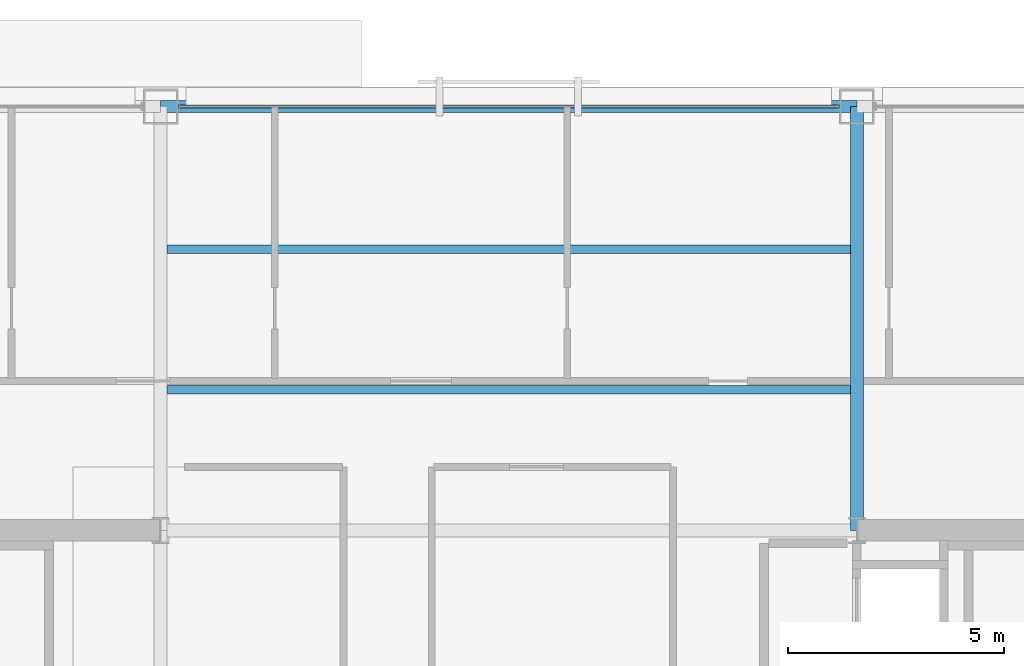
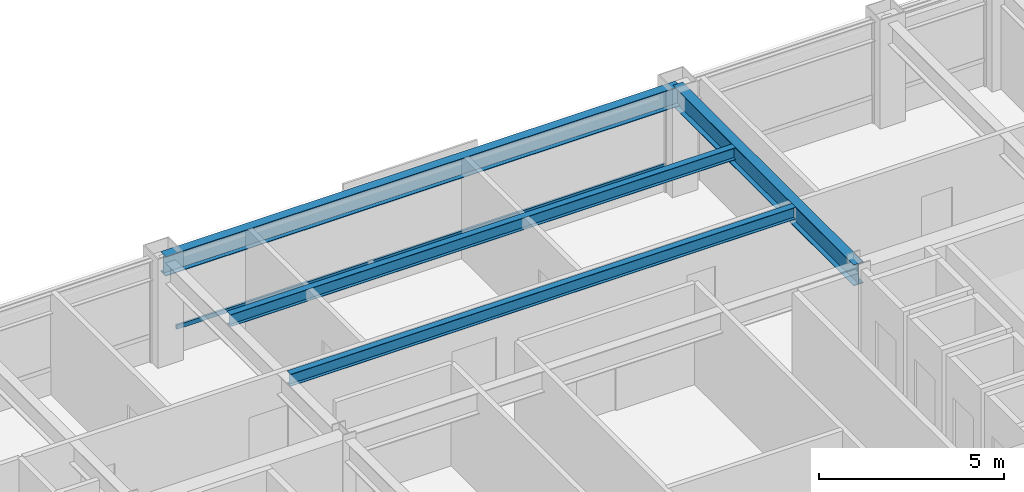
# One storey, part 20 of 28: 4 beams, 1 member, 1 element without a shape of its own.
"""IFC4 building model written with IfcOpenShell, lengths in metres."""

import ifcopenshell
import ifcopenshell.guid

model = None  # the IFC model being written
_history = None  # IfcOwnerHistory: only IFC2X3 demands one
_inside = {}  # id of a spatial element -> (the spatial element, [elements in it])
_under = {}  # id of a project, library or spatial element -> (it, [spatial elements below it])
_declared = {}  # id of a project -> (the project, [libraries it declares])
_typed = {}  # id of a type object -> (the type object, [elements of that type])
_made_of = {}  # id of a material, layer set ... -> (it, [elements and type objects made of it])


def new_model(schema):
    """Start an empty IFC model of exactly this schema.

    Asked for "IFC4X3", IfcOpenShell would pick the latest addendum, in which some entities
    have other attributes; the version numbers below select the first issue.
    IFC2X3 requires an IfcOwnerHistory on every rooted entity: one is made here for all.
    """
    global model, _history
    if schema == "IFC4X3":
        model = ifcopenshell.file(schema_version=(4, 3, 0, 0))
    else:
        model = ifcopenshell.file(schema=schema)
    _inside.clear()
    _under.clear()
    _declared.clear()
    _typed.clear()
    _made_of.clear()
    _history = None
    if model.schema == "IFC2X3":
        org = make("IfcOrganization", Name="unknown")
        user = make(
            "IfcPersonAndOrganization",
            ThePerson=make("IfcPerson", FamilyName="unknown"),
            TheOrganization=org,
        )
        app = make(
            "IfcApplication",
            ApplicationDeveloper=org,
            Version="unknown",
            ApplicationFullName="unknown",
            ApplicationIdentifier="unknown",
        )
        _history = make(
            "IfcOwnerHistory",
            OwningUser=user,
            OwningApplication=app,
            ChangeAction="ADDED",
            CreationDate=0,
        )
    return model


def make(cls, **values):
    """One entity of the class cls with the attributes given. An attribute that is None is left unset."""
    return model.create_entity(
        cls, **{name: value for name, value in values.items() if value is not None}
    )


def rooted(cls, **values):
    """An entity with a GlobalId (a new one), such as an element, a storey or a relation."""
    return make(cls, GlobalId=ifcopenshell.guid.new(), OwnerHistory=_history, **values)


def si_unit(unit_type, name, prefix=None):
    """IfcSIUnit, for example si_unit("LENGTHUNIT", "METRE", prefix="MILLI")."""
    return make("IfcSIUnit", UnitType=unit_type, Prefix=prefix, Name=name)


def assignment(units):
    """IfcUnitAssignment: the units of a project."""
    return None if units is None else make("IfcUnitAssignment", Units=units)


def point(xyz):
    """IfcCartesianPoint."""
    return None if xyz is None else make("IfcCartesianPoint", Coordinates=xyz)


def direction(xyz):
    """IfcDirection."""
    return None if xyz is None else make("IfcDirection", DirectionRatios=xyz)


def frame(location, z_axis=None, x_axis=None):
    """IfcAxis2Placement3D, a coordinate frame: its origin and axes. An axis left out is left unset."""
    return make(
        "IfcAxis2Placement3D",
        Location=point(location),
        Axis=direction(z_axis),
        RefDirection=direction(x_axis),
    )


def frame_2d(location, x_axis=None):
    """IfcAxis2Placement2D, a coordinate frame in the plane: its origin and x axis."""
    return make(
        "IfcAxis2Placement2D", Location=point(location), RefDirection=direction(x_axis)
    )


def origin():
    """The frame at (0, 0, 0) with its axes left unset."""
    return frame((0.0, 0.0, 0.0))


def origin_2d():
    """The frame at (0, 0) in the plane with its x axis left unset."""
    return frame_2d((0.0, 0.0))


def place(relative_to, where):
    """IfcLocalPlacement: puts the frame where relative to a parent placement (None: the world)."""
    return make(
        "IfcLocalPlacement", PlacementRelTo=relative_to, RelativePlacement=where
    )


def context(
    kind, dimensions, precision=None, world=None, true_north=None, identifier=None
):
    """IfcGeometricRepresentationContext, for example the 3D "Model" context."""
    return make(
        "IfcGeometricRepresentationContext",
        ContextIdentifier=identifier,
        ContextType=kind,
        CoordinateSpaceDimension=dimensions,
        Precision=precision,
        WorldCoordinateSystem=world,
        TrueNorth=true_north,
    )


def subcontext(parent, identifier, kind, view, scale=None):
    """IfcGeometricRepresentationSubContext, for example "Body" below "Model"."""
    return make(
        "IfcGeometricRepresentationSubContext",
        ContextIdentifier=identifier,
        ContextType=kind,
        ParentContext=parent,
        TargetScale=scale,
        TargetView=view,
    )


def project(units=None, contexts=None):
    """IfcProject with its units and contexts."""
    return rooted(
        "IfcProject",
        Name="project",
        RepresentationContexts=contexts,
        UnitsInContext=assignment(units),
    )


def spatial(cls, under=None, at=None, **own):
    """A site, building, storey or space (cls), placed at a placement, below another one or the project."""
    s = rooted(cls, ObjectPlacement=at, **own)
    if under is not None:
        _under.setdefault(under.id(), (under, []))[1].append(s)
    return s


def profile(cls, at=None, kind="AREA", **sizes):
    """A parametric profile (cls). Its sizes go by their IFC names, for example OverallWidth=200.0."""
    return make(cls, ProfileType=kind, Position=at, **sizes)


def hollow_rectangle(**sizes):
    """IfcRectangleHollowProfileDef."""
    return profile("IfcRectangleHollowProfileDef", **sizes)


def i_section(**sizes):
    """IfcIShapeProfileDef."""
    return profile("IfcIShapeProfileDef", **sizes)


def extrude(swept, where, along, depth):
    """IfcExtrudedAreaSolid: the profile swept, set in the frame where, extruded along a direction by depth."""
    return make(
        "IfcExtrudedAreaSolid",
        SweptArea=swept,
        Position=where,
        ExtrudedDirection=direction(along),
        Depth=depth,
    )


def shape(context_of_items, identifier, shape_type, items):
    """IfcShapeRepresentation: the items that make up one representation, for example the "Body"."""
    return make(
        "IfcShapeRepresentation",
        ContextOfItems=context_of_items,
        RepresentationIdentifier=identifier,
        RepresentationType=shape_type,
        Items=items,
    )


def material(Name=None, Category=None):
    """IfcMaterial."""
    return make("IfcMaterial", Name=Name, Category=Category)


def layer(
    of_material, thickness, ventilated=None, Name=None, Category=None, Priority=None
):
    """IfcMaterialLayer: one layer of a wall or slab, of a material (None: an air gap)."""
    return make(
        "IfcMaterialLayer",
        Material=of_material,
        LayerThickness=thickness,
        IsVentilated=ventilated,
        Name=Name,
        Category=Category,
        Priority=Priority,
    )


def layer_set(layers, Name=None):
    """IfcMaterialLayerSet."""
    return make("IfcMaterialLayerSet", MaterialLayers=layers, LayerSetName=Name)


def material_profile(
    of_material, cross_section, Name=None, Category=None, Priority=None
):
    """IfcMaterialProfile: a cross section and its material."""
    return make(
        "IfcMaterialProfile",
        Name=Name,
        Material=of_material,
        Profile=cross_section,
        Priority=Priority,
        Category=Category,
    )


def profile_set(profiles, Name=None, composite=None):
    """IfcMaterialProfileSet."""
    return make(
        "IfcMaterialProfileSet",
        Name=Name,
        MaterialProfiles=profiles,
        CompositeProfile=composite,
    )


def made_of(thing, what):
    """Note that an element or type object is made of a material, layer set ...; save() writes the relation."""
    if what is not None:
        _made_of.setdefault(what.id(), (what, []))[1].append(thing)
    return thing


def type_object(cls, material=None, **own):
    """A type object (cls), such as IfcWallType, which elements share."""
    return made_of(rooted(cls, **own), material)


def element(
    cls,
    number,
    at=None,
    inside=None,
    cuts=None,
    type_object=None,
    material=None,
    context=None,
    identifier="Body",
    shape_type=None,
    held_by="IfcProductDefinitionShape",
    body=None,
    shapes=None,
    **own,
):
    """One element of the class cls, such as IfcWall. Its Tag is "e" and its number.

    at: its placement. inside: the storey or other place that contains it. cuts: it is an
    opening in that element (IfcRelVoidsElement). A single representation is given by context,
    identifier, shape_type and body (its items); several are given by shapes. held_by: the class
    of the entity that holds the representations. save() writes the other relations.
    """
    e = rooted(cls, Tag="e%d" % number, ObjectPlacement=at, **own)
    if body is not None:
        shapes = [shape(context, identifier, shape_type, body)]
    if shapes is not None:
        e.Representation = make(held_by, Representations=shapes)
    if inside is not None:
        _inside.setdefault(inside.id(), (inside, []))[1].append(e)
    if cuts is not None:
        rooted(
            "IfcRelVoidsElement", RelatingBuildingElement=cuts, RelatedOpeningElement=e
        )
    if type_object is not None:
        _typed.setdefault(type_object.id(), (type_object, []))[1].append(e)
    return made_of(e, material)


def aggregate(whole, parts):
    """IfcRelAggregates: a whole, such as a stair, and the parts it consists of."""
    return rooted("IfcRelAggregates", RelatingObject=whole, RelatedObjects=parts)


def save(model, path):
    """Write the relations noted so far, then the file.

    IfcRelAggregates (storeys below a building ...), IfcRelContainedInSpatialStructure (elements
    in a storey), IfcRelDefinesByType, IfcRelAssociatesMaterial and IfcRelDeclares: one each for
    every whole, place, type object, material and project.
    """
    for whole, parts in _under.values():
        aggregate(whole, parts)
    for where, things in _inside.values():
        rooted(
            "IfcRelContainedInSpatialStructure",
            RelatedElements=things,
            RelatingStructure=where,
        )
    for kind, things in _typed.values():
        rooted("IfcRelDefinesByType", RelatedObjects=things, RelatingType=kind)
    for what, things in _made_of.values():
        rooted("IfcRelAssociatesMaterial", RelatedObjects=things, RelatingMaterial=what)
    for by, libraries in _declared.values():
        rooted("IfcRelDeclares", RelatingContext=by, RelatedDefinitions=libraries)
    model.write(path)


model = new_model("IFC4")

# Units and contexts
model_context = context("Model", 3, precision=1e-05, world=origin(), true_north=direction((0.0, 1.0)))
body_context = subcontext(model_context, "Body", "Model", "MODEL_VIEW")
ifc_project = project(units=[si_unit("LENGTHUNIT", "METRE"), si_unit("AREAUNIT", "SQUARE_METRE"), si_unit("VOLUMEUNIT", "CUBIC_METRE"), si_unit("PLANEANGLEUNIT", "RADIAN"), si_unit("MASSUNIT", "GRAM", prefix="KILO")], contexts=[model_context])

# Site, building, storey
site_placement = place(None, origin())
site = spatial("IfcSite", under=ifc_project, at=site_placement, CompositionType="ELEMENT")
building_placement = place(site_placement, origin())
building = spatial("IfcBuilding", under=site, at=building_placement, Name="Brelmoor Portico Tower", CompositionType="ELEMENT")
storey_placement = place(building_placement, frame((0.0, 0.0, 142.199951171875)))
storey = spatial("IfcBuildingStorey", under=building, at=storey_placement, Name="L37", CompositionType="ELEMENT", Elevation=142.199951171875)

# Beams
ifc_material_1 = material(Name="Steel Q355B", Category="steel")
ifc_material_profile_1 = material_profile(ifc_material_1, i_section(OverallWidth=0.199951171875, OverallDepth=0.39990234375, WebThickness=0.008056640625, FlangeThickness=0.012939453125, at=origin_2d()), Name="HN 400x200x8x13")
ifc_profile_set_1 = profile_set([ifc_material_profile_1], Name="Steel Q355B")
beam_type_1 = type_object("IfcBeamType", Name="BM-JS-400", PredefinedType="JOIST", material=ifc_profile_set_1)
for number, where, z_axis, x_axis, name in (
    (1, (-7.89990234375, 13.0, 3.199951171875), (1.0, 0.0, 0.0), (0.0, 1.0, 0.0), "L37 Secondary Composite Joist JS-C03"),
    (2, (-7.89990234375, 16.25, 3.199951171875), (1.0, 0.0, 0.0), (0.0, 1.0, 0.0), "L37 Secondary Composite Joist JS-C04"),
):
    element("IfcBeam", number, at=place(storey_placement, frame(where, z_axis=z_axis, x_axis=x_axis)), inside=storey, type_object=beam_type_1, Name=name, PredefinedType="JOIST", context=body_context, shape_type="SweptSolid", body=[
        extrude(i_section(OverallWidth=0.199951171875, OverallDepth=0.39990234375, WebThickness=0.008056640625, FlangeThickness=0.012939453125, at=origin_2d()), origin(), (0.0, 0.0, 1.0), 15.7998046875),
    ])
ifc_material_profile_2 = material_profile(ifc_material_1, i_section(OverallWidth=0.300048828125, OverallDepth=0.699951171875, WebThickness=0.012939453125, FlangeThickness=0.02392578125, at=origin_2d()), Name="HN 700x300x13x24")
ifc_profile_set_2 = profile_set([ifc_material_profile_2], Name="Steel Q355B")
beam_type_2 = type_object("IfcBeamType", Name="BM-PG-700", PredefinedType="BEAM", material=ifc_profile_set_2)
beam_1_placement = place(storey_placement, frame((8.050048828125, 9.75, 3.050048828125), z_axis=(0.0, 1.0, 0.0), x_axis=(-1.0, 0.0, 0.0)))
element("IfcBeam", 3, at=beam_1_placement, inside=storey, type_object=beam_type_2, Name="L37 Primary Floor Girder PG-09", PredefinedType="BEAM", context=body_context, shape_type="SweptSolid", body=[
    extrude(i_section(OverallWidth=0.300048828125, OverallDepth=0.699951171875, WebThickness=0.012939453125, FlangeThickness=0.02392578125, at=origin_2d()), origin(), (0.0, 0.0, 1.0), 9.800048828125),
])
ifc_material_profile_3 = material_profile(ifc_material_1, i_section(OverallWidth=0.280029296875, OverallDepth=0.64990234375, WebThickness=0.012939453125, FlangeThickness=0.02197265625, at=origin_2d()), Name="HN 650x280x13x22")
ifc_profile_set_3 = profile_set([ifc_material_profile_3], Name="Steel Q355B")
beam_type_3 = type_object("IfcBeamType", Name="BM-SP-650", PredefinedType="SPANDREL", material=ifc_profile_set_3)
beam_2_placement = place(storey_placement, frame((-8.050048828125, 19.550048828125, 3.074951171875), z_axis=(1.0, 0.0, 0.0), x_axis=(0.0, 1.0, 0.0)))
element("IfcBeam", 4, at=beam_2_placement, inside=storey, type_object=beam_type_3, Name="L37 Perimeter Spandrel Beam SP-12", PredefinedType="SPANDREL", context=body_context, shape_type="SweptSolid", body=[
    extrude(i_section(OverallWidth=0.280029296875, OverallDepth=0.64990234375, WebThickness=0.012939453125, FlangeThickness=0.02197265625, at=origin_2d()), origin(), (0.0, 0.0, 1.0), 16.10009765625),
])

# Curtain wall, member
ifc_material_2 = material(Name="Anodised Aluminium Alloy 6063-T6", Category="aluminium")
ifc_layer = layer(ifc_material_2, 0.179931640625)
ifc_layer_set = layer_set([ifc_layer], Name="Anodised Aluminium Alloy 6063-T6")
curtain_wall_type = type_object("IfcCurtainWallType", Name="CW-TOWER-Z2", PredefinedType="NOTDEFINED", material=ifc_layer_set)
curtain_wall_placement = place(storey_placement, origin())
curtain_wall = element("IfcCurtainWall", 5, at=curtain_wall_placement, inside=storey, type_object=curtain_wall_type, Name="L37 Curtain Wall CW-L37-02-3", PredefinedType="NOTDEFINED")
ifc_material_profile_4 = material_profile(ifc_material_2, hollow_rectangle(XDim=0.06494140625, YDim=0.139892578125, WallThickness=0.00390625, at=origin_2d()), Name="ALU TRANSOM 65x140")
ifc_profile_set_4 = profile_set([ifc_material_profile_4], Name="Anodised Aluminium Alloy 6063-T6")
member_type = type_object("IfcMemberType", Name="MB-CW-TRAN-140", PredefinedType="USERDEFINED", material=ifc_profile_set_4)
member_placement = place(storey_placement, frame((-7.639892578125, 19.550048828125, 0.85009765625), z_axis=(1.0, 0.0, 0.0), x_axis=(0.0, 1.0, 0.0)))
member = element("IfcMember", 6, at=member_placement, type_object=member_type, Name="CW-L37-02-3 Transom 1-00", ObjectType="TRANSOM", PredefinedType="USERDEFINED", context=body_context, shape_type="SweptSolid", body=[
    extrude(hollow_rectangle(XDim=0.06494140625, YDim=0.139892578125, WallThickness=0.00390625, at=origin_2d()), origin(), (0.0, 0.0, 1.0), 15.27978515625),
])
aggregate(curtain_wall, [member])

save(model, "model.ifc")
